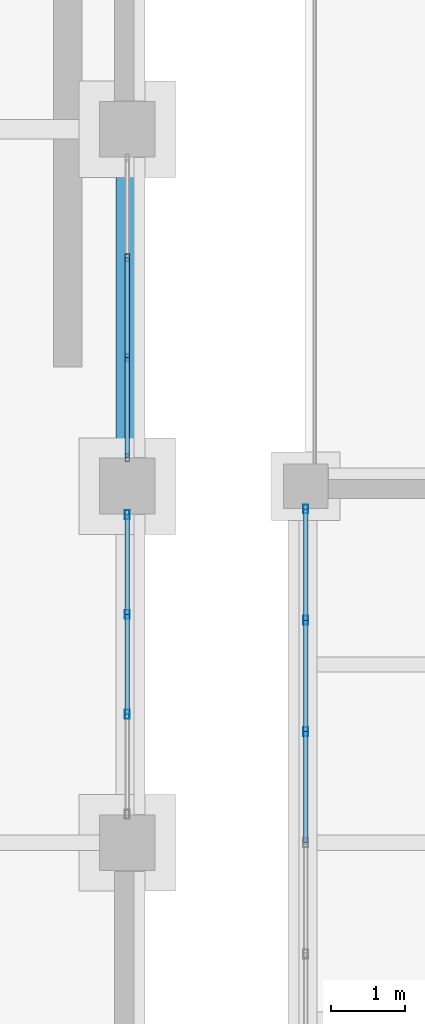
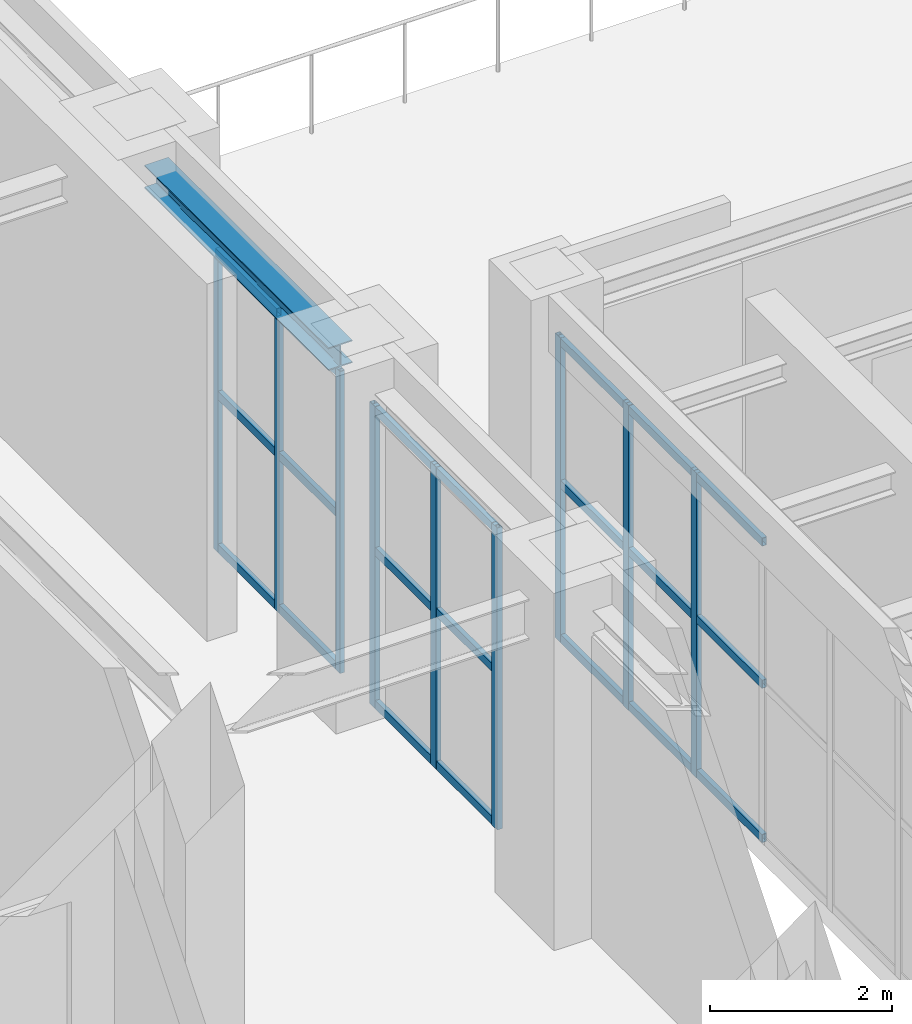
# One storey, part 11 of 83: 30 members, 1 beam, 3 elements without a shape of their own.
"""IFC4 building model written with IfcOpenShell, lengths in metres."""

from ifc_helpers import new_model, si_unit, direction, frame, origin, origin_2d, place, context, subcontext, project, spatial, hollow_rectangle, i_section, extrude, material, material_profile, profile_set, type_object, element, aggregate, save


model = new_model("IFC4")

# Units and contexts
model_context = context("Model", 3, precision=1e-05, world=origin(), true_north=direction((0.0, 1.0)))
body_context = subcontext(model_context, "Body", "Model", "MODEL_VIEW")
ifc_project = project(units=[si_unit("LENGTHUNIT", "METRE"), si_unit("AREAUNIT", "SQUARE_METRE"), si_unit("VOLUMEUNIT", "CUBIC_METRE"), si_unit("PLANEANGLEUNIT", "RADIAN"), si_unit("MASSUNIT", "GRAM", prefix="KILO")], contexts=[model_context])

# Site, building, storey
site_placement = place(None, origin())
site = spatial("IfcSite", under=ifc_project, at=site_placement, CompositionType="ELEMENT")
building_placement = place(site_placement, origin())
building = spatial("IfcBuilding", under=site, at=building_placement, Name="Mavantir Sound Aquarium", CompositionType="ELEMENT")
storey_placement = place(building_placement, frame((0.0, 0.0, 10.5)))
storey = spatial("IfcBuildingStorey", under=building, at=storey_placement, Name="L02", CompositionType="ELEMENT", Elevation=10.5)

# Beam
ifc_material_1 = material(Name="Structural Steel ASTM A992 Gr50", Category="steel")
ifc_material_profile_1 = material_profile(ifc_material_1, i_section(OverallWidth=0.304931640625, OverallDepth=0.30810546875, WebThickness=0.010009765625, FlangeThickness=0.015380859375, FilletRadius=0.014892578125, at=origin_2d()), Name="W310X97")
ifc_profile_set_1 = profile_set([ifc_material_profile_1], Name="Structural Steel ASTM A992 Gr50")
beam_type = type_object("IfcBeamType", Name="BM-W310X97-E", PredefinedType="SPANDREL", material=ifc_profile_set_1)
beam_placement = place(storey_placement, frame((33.60009765625, 60.375, 4.241943359375), z_axis=(0.0, 1.0, 0.0), x_axis=(-1.0, 0.0, 0.0)))
element("IfcBeam", 1, at=beam_placement, inside=storey, type_object=beam_type, Name="L02 primary girder SS-31A 1477", PredefinedType="SPANDREL", context=body_context, shape_type="SweptSolid", body=[
    extrude(i_section(OverallWidth=0.304931640625, OverallDepth=0.30810546875, WebThickness=0.010009765625, FlangeThickness=0.015380859375, FilletRadius=0.014892578125, at=origin_2d()), origin(), (0.0, 0.0, 1.0), 4.050048828125),
])

# Curtain wall, members
ifc_material_2 = material(Name="Anodised Marine Aluminium and Low-E Glass", Category="aluminium")
curtain_wall_type_1 = type_object("IfcCurtainWallType", Name="CW-T03", PredefinedType="USERDEFINED", material=ifc_material_2)
curtain_wall_1_placement = place(storey_placement, origin())
curtain_wall_1 = element("IfcCurtainWall", 2, at=curtain_wall_1_placement, inside=storey, type_object=curtain_wall_type_1, Name="L02 unitised curtain wall CW-03 123", ObjectType="UNITISED GLAZING", PredefinedType="USERDEFINED")
ifc_material_3 = material(Name="Anodised Marine Aluminium 6063-T6", Category="aluminium")
ifc_material_profile_2 = material_profile(ifc_material_3, hollow_rectangle(XDim=0.06005859375, YDim=0.10009765625, WallThickness=0.00390625, at=origin_2d()), Name="ALU-MULLION-100X60")
ifc_profile_set_2 = profile_set([ifc_material_profile_2], Name="Anodised Marine Aluminium 6063-T6")
member_type_1 = type_object("IfcMemberType", Name="CW-MUL-100", PredefinedType="MULLION", material=ifc_profile_set_2)
member_1_placement = place(storey_placement, frame((33.60009765625, 60.383056640625, 0.0), z_axis=(0.0, 0.0, 1.0), x_axis=(1.0, 0.0, 0.0)))
member_1 = element("IfcMember", 3, at=member_1_placement, type_object=member_type_1, Name="CW-L02-123 vertical mullion 1", PredefinedType="MULLION", context=body_context, shape_type="SweptSolid", body=[
    extrude(hollow_rectangle(XDim=0.06005859375, YDim=0.10009765625, WallThickness=0.00390625, at=origin_2d()), origin(), (0.0, 0.0, 1.0), 4.05810546875),
])
member_2_placement = place(storey_placement, frame((33.60009765625, 61.727783203125, 0.0), z_axis=(0.0, 0.0, 1.0), x_axis=(1.0, 0.0, 0.0)))
member_2 = element("IfcMember", 4, at=member_2_placement, type_object=member_type_1, Name="CW-L02-123 vertical mullion 2", PredefinedType="MULLION", context=body_context, shape_type="SweptSolid", body=[
    extrude(hollow_rectangle(XDim=0.06005859375, YDim=0.10009765625, WallThickness=0.00390625, at=origin_2d()), origin(), (0.0, 0.0, 1.0), 4.05810546875),
])
member_3_placement = place(storey_placement, frame((33.60009765625, 63.072265625, 0.0), z_axis=(0.0, 0.0, 1.0), x_axis=(1.0, 0.0, 0.0)))
member_3 = element("IfcMember", 5, at=member_3_placement, type_object=member_type_1, Name="CW-L02-123 vertical mullion 3", PredefinedType="MULLION", context=body_context, shape_type="SweptSolid", body=[
    extrude(hollow_rectangle(XDim=0.06005859375, YDim=0.10009765625, WallThickness=0.00390625, at=origin_2d()), origin(), (0.0, 0.0, 1.0), 4.05810546875),
])

curtain_wall_type_2 = type_object("IfcCurtainWallType", Name="CW-T02", PredefinedType="USERDEFINED", material=ifc_material_2)
curtain_wall_2_placement = place(storey_placement, origin())
curtain_wall_2 = element("IfcCurtainWall", 6, at=curtain_wall_2_placement, inside=storey, type_object=curtain_wall_type_2, Name="L02 unitised curtain wall CW-02 122", ObjectType="UNITISED GLAZING", PredefinedType="USERDEFINED")
ifc_material_profile_3 = material_profile(ifc_material_3, hollow_rectangle(XDim=0.06494140625, YDim=0.1201171875, WallThickness=0.00390625, at=origin_2d()), Name="ALU-MULLION-120X65")
ifc_profile_set_3 = profile_set([ifc_material_profile_3], Name="Anodised Marine Aluminium 6063-T6")
member_type_2 = type_object("IfcMemberType", Name="CW-MUL-120", PredefinedType="MULLION", material=ifc_profile_set_3)
member_4_placement = place(storey_placement, frame((33.60009765625, 56.927734375, 0.0), z_axis=(0.0, 0.0, 1.0), x_axis=(1.0, 0.0, 0.0)))
member_4 = element("IfcMember", 7, at=member_4_placement, type_object=member_type_2, Name="CW-L02-122 vertical mullion 2", PredefinedType="MULLION", context=body_context, shape_type="SweptSolid", body=[
    extrude(hollow_rectangle(XDim=0.06494140625, YDim=0.1201171875, WallThickness=0.00390625, at=origin_2d()), origin(), (0.0, 0.0, 1.0), 4.05810546875),
])
member_5_placement = place(storey_placement, frame((33.60009765625, 58.272216796875, 0.0), z_axis=(0.0, 0.0, 1.0), x_axis=(1.0, 0.0, 0.0)))
member_5 = element("IfcMember", 8, at=member_5_placement, type_object=member_type_2, Name="CW-L02-122 vertical mullion 3", PredefinedType="MULLION", context=body_context, shape_type="SweptSolid", body=[
    extrude(hollow_rectangle(XDim=0.06494140625, YDim=0.1201171875, WallThickness=0.00390625, at=origin_2d()), origin(), (0.0, 0.0, 1.0), 4.05810546875),
])
member_6_placement = place(storey_placement, frame((33.60009765625, 59.616943359375, 0.0), z_axis=(0.0, 0.0, 1.0), x_axis=(1.0, 0.0, 0.0)))
member_6 = element("IfcMember", 9, at=member_6_placement, type_object=member_type_2, Name="CW-L02-122 vertical mullion 4", PredefinedType="MULLION", context=body_context, shape_type="SweptSolid", body=[
    extrude(hollow_rectangle(XDim=0.06494140625, YDim=0.1201171875, WallThickness=0.00390625, at=origin_2d()), origin(), (0.0, 0.0, 1.0), 4.05810546875),
])

curtain_wall_type_3 = type_object("IfcCurtainWallType", Name="CW-T06", PredefinedType="USERDEFINED", material=ifc_material_2)
curtain_wall_3_placement = place(storey_placement, origin())
curtain_wall_3 = element("IfcCurtainWall", 10, at=curtain_wall_3_placement, inside=storey, type_object=curtain_wall_type_3, Name="L02 unitised curtain wall CW-06 126", ObjectType="UNITISED GLAZING", PredefinedType="USERDEFINED")
member_7_placement = place(storey_placement, frame((36.0, 59.69189453125, 0.0), z_axis=(0.0, 0.0, 1.0), x_axis=(1.0, 0.0, 0.0)))
member_7 = element("IfcMember", 11, at=member_7_placement, type_object=member_type_2, Name="CW-L02-126 vertical mullion 1", PredefinedType="MULLION", context=body_context, shape_type="SweptSolid", body=[
    extrude(hollow_rectangle(XDim=0.06494140625, YDim=0.1201171875, WallThickness=0.00390625, at=origin_2d()), origin(), (0.0, 0.0, 1.0), 4.093017578125),
])
member_8_placement = place(storey_placement, frame((36.0, 58.194580078125, 0.0), z_axis=(0.0, 0.0, 1.0), x_axis=(1.0, 0.0, 0.0)))
member_8 = element("IfcMember", 12, at=member_8_placement, type_object=member_type_2, Name="CW-L02-126 vertical mullion 2", PredefinedType="MULLION", context=body_context, shape_type="SweptSolid", body=[
    extrude(hollow_rectangle(XDim=0.06494140625, YDim=0.1201171875, WallThickness=0.00390625, at=origin_2d()), origin(), (0.0, 0.0, 1.0), 4.093017578125),
])
member_9_placement = place(storey_placement, frame((36.0, 56.697265625, 0.0), z_axis=(0.0, 0.0, 1.0), x_axis=(1.0, 0.0, 0.0)))
member_9 = element("IfcMember", 13, at=member_9_placement, type_object=member_type_2, Name="CW-L02-126 vertical mullion 3", PredefinedType="MULLION", context=body_context, shape_type="SweptSolid", body=[
    extrude(hollow_rectangle(XDim=0.06494140625, YDim=0.1201171875, WallThickness=0.00390625, at=origin_2d()), origin(), (0.0, 0.0, 1.0), 4.093017578125),
])

# Member
ifc_material_profile_4 = material_profile(ifc_material_3, hollow_rectangle(XDim=0.06005859375, YDim=0.110107421875, WallThickness=0.00390625, at=origin_2d()), Name="ALU-TRANSOM-110X60")
ifc_profile_set_4 = profile_set([ifc_material_profile_4], Name="Anodised Marine Aluminium 6063-T6")
member_type_3 = type_object("IfcMemberType", Name="CW-TRN-110", PredefinedType="USERDEFINED", material=ifc_profile_set_4)
member_10_placement = place(storey_placement, frame((33.60009765625, 56.927734375, 0.054931640625), z_axis=(0.0, 1.0, 0.0), x_axis=(-1.0, 0.0, 0.0)))
member_10 = element("IfcMember", 14, at=member_10_placement, type_object=member_type_3, Name="CW-L02-122 transom 2.1", ObjectType="TRANSOM", PredefinedType="USERDEFINED", context=body_context, shape_type="SweptSolid", body=[
    extrude(hollow_rectangle(XDim=0.06005859375, YDim=0.110107421875, WallThickness=0.00390625, at=origin_2d()), origin(), (0.0, 0.0, 1.0), 1.344482421875),
])

member_11_placement = place(storey_placement, frame((33.60009765625, 56.927734375, 2.110107421875), z_axis=(0.0, 1.0, 0.0), x_axis=(-1.0, 0.0, 0.0)))
member_11 = element("IfcMember", 15, at=member_11_placement, type_object=member_type_3, Name="CW-L02-122 transom 2.2", ObjectType="TRANSOM", PredefinedType="USERDEFINED", context=body_context, shape_type="SweptSolid", body=[
    extrude(hollow_rectangle(XDim=0.06005859375, YDim=0.110107421875, WallThickness=0.00390625, at=origin_2d()), origin(), (0.0, 0.0, 1.0), 1.344482421875),
])

member_12_placement = place(storey_placement, frame((33.60009765625, 56.927734375, 4.0029296875), z_axis=(0.0, 1.0, 0.0), x_axis=(-1.0, 0.0, 0.0)))
member_12 = element("IfcMember", 16, at=member_12_placement, type_object=member_type_3, Name="CW-L02-122 transom 2.3", ObjectType="TRANSOM", PredefinedType="USERDEFINED", context=body_context, shape_type="SweptSolid", body=[
    extrude(hollow_rectangle(XDim=0.06005859375, YDim=0.110107421875, WallThickness=0.00390625, at=origin_2d()), origin(), (0.0, 0.0, 1.0), 1.344482421875),
])

member_13_placement = place(storey_placement, frame((33.60009765625, 58.272216796875, 0.054931640625), z_axis=(0.0, 1.0, 0.0), x_axis=(-1.0, 0.0, 0.0)))
member_13 = element("IfcMember", 17, at=member_13_placement, type_object=member_type_3, Name="CW-L02-122 transom 3.1", ObjectType="TRANSOM", PredefinedType="USERDEFINED", context=body_context, shape_type="SweptSolid", body=[
    extrude(hollow_rectangle(XDim=0.06005859375, YDim=0.110107421875, WallThickness=0.00390625, at=origin_2d()), origin(), (0.0, 0.0, 1.0), 1.3447265625),
])

member_14_placement = place(storey_placement, frame((33.60009765625, 58.272216796875, 2.110107421875), z_axis=(0.0, 1.0, 0.0), x_axis=(-1.0, 0.0, 0.0)))
member_14 = element("IfcMember", 18, at=member_14_placement, type_object=member_type_3, Name="CW-L02-122 transom 3.2", ObjectType="TRANSOM", PredefinedType="USERDEFINED", context=body_context, shape_type="SweptSolid", body=[
    extrude(hollow_rectangle(XDim=0.06005859375, YDim=0.110107421875, WallThickness=0.00390625, at=origin_2d()), origin(), (0.0, 0.0, 1.0), 1.3447265625),
])

member_15_placement = place(storey_placement, frame((33.60009765625, 58.272216796875, 4.0029296875), z_axis=(0.0, 1.0, 0.0), x_axis=(-1.0, 0.0, 0.0)))
member_15 = element("IfcMember", 19, at=member_15_placement, type_object=member_type_3, Name="CW-L02-122 transom 3.3", ObjectType="TRANSOM", PredefinedType="USERDEFINED", context=body_context, shape_type="SweptSolid", body=[
    extrude(hollow_rectangle(XDim=0.06005859375, YDim=0.110107421875, WallThickness=0.00390625, at=origin_2d()), origin(), (0.0, 0.0, 1.0), 1.3447265625),
])

aggregate(curtain_wall_2, [member_4, member_5, member_6, member_10, member_11, member_12, member_13, member_14, member_15])

member_16_placement = place(storey_placement, frame((33.60009765625, 60.383056640625, 0.054931640625), z_axis=(0.0, 1.0, 0.0), x_axis=(-1.0, 0.0, 0.0)))
member_16 = element("IfcMember", 20, at=member_16_placement, type_object=member_type_3, Name="CW-L02-123 transom 1.1", ObjectType="TRANSOM", PredefinedType="USERDEFINED", context=body_context, shape_type="SweptSolid", body=[
    extrude(hollow_rectangle(XDim=0.06005859375, YDim=0.110107421875, WallThickness=0.00390625, at=origin_2d()), origin(), (0.0, 0.0, 1.0), 1.3447265625),
])

member_17_placement = place(storey_placement, frame((33.60009765625, 60.383056640625, 2.110107421875), z_axis=(0.0, 1.0, 0.0), x_axis=(-1.0, 0.0, 0.0)))
member_17 = element("IfcMember", 21, at=member_17_placement, type_object=member_type_3, Name="CW-L02-123 transom 1.2", ObjectType="TRANSOM", PredefinedType="USERDEFINED", context=body_context, shape_type="SweptSolid", body=[
    extrude(hollow_rectangle(XDim=0.06005859375, YDim=0.110107421875, WallThickness=0.00390625, at=origin_2d()), origin(), (0.0, 0.0, 1.0), 1.3447265625),
])

member_18_placement = place(storey_placement, frame((33.60009765625, 60.383056640625, 4.0029296875), z_axis=(0.0, 1.0, 0.0), x_axis=(-1.0, 0.0, 0.0)))
member_18 = element("IfcMember", 22, at=member_18_placement, type_object=member_type_3, Name="CW-L02-123 transom 1.3", ObjectType="TRANSOM", PredefinedType="USERDEFINED", context=body_context, shape_type="SweptSolid", body=[
    extrude(hollow_rectangle(XDim=0.06005859375, YDim=0.110107421875, WallThickness=0.00390625, at=origin_2d()), origin(), (0.0, 0.0, 1.0), 1.3447265625),
])

member_19_placement = place(storey_placement, frame((33.60009765625, 61.727783203125, 0.054931640625), z_axis=(0.0, 1.0, 0.0), x_axis=(-1.0, 0.0, 0.0)))
member_19 = element("IfcMember", 23, at=member_19_placement, type_object=member_type_3, Name="CW-L02-123 transom 2.1", ObjectType="TRANSOM", PredefinedType="USERDEFINED", context=body_context, shape_type="SweptSolid", body=[
    extrude(hollow_rectangle(XDim=0.06005859375, YDim=0.110107421875, WallThickness=0.00390625, at=origin_2d()), origin(), (0.0, 0.0, 1.0), 1.344482421875),
])

member_20_placement = place(storey_placement, frame((33.60009765625, 61.727783203125, 2.110107421875), z_axis=(0.0, 1.0, 0.0), x_axis=(-1.0, 0.0, 0.0)))
member_20 = element("IfcMember", 24, at=member_20_placement, type_object=member_type_3, Name="CW-L02-123 transom 2.2", ObjectType="TRANSOM", PredefinedType="USERDEFINED", context=body_context, shape_type="SweptSolid", body=[
    extrude(hollow_rectangle(XDim=0.06005859375, YDim=0.110107421875, WallThickness=0.00390625, at=origin_2d()), origin(), (0.0, 0.0, 1.0), 1.344482421875),
])

member_21_placement = place(storey_placement, frame((33.60009765625, 61.727783203125, 4.0029296875), z_axis=(0.0, 1.0, 0.0), x_axis=(-1.0, 0.0, 0.0)))
member_21 = element("IfcMember", 25, at=member_21_placement, type_object=member_type_3, Name="CW-L02-123 transom 2.3", ObjectType="TRANSOM", PredefinedType="USERDEFINED", context=body_context, shape_type="SweptSolid", body=[
    extrude(hollow_rectangle(XDim=0.06005859375, YDim=0.110107421875, WallThickness=0.00390625, at=origin_2d()), origin(), (0.0, 0.0, 1.0), 1.344482421875),
])

aggregate(curtain_wall_1, [member_1, member_2, member_3, member_16, member_17, member_18, member_19, member_20, member_21])

member_22_placement = place(storey_placement, frame((36.0, 59.69189453125, 0.054931640625), z_axis=(0.0, -1.0, 0.0), x_axis=(1.0, 0.0, 0.0)))
member_22 = element("IfcMember", 26, at=member_22_placement, type_object=member_type_3, Name="CW-L02-126 transom 1.1", ObjectType="TRANSOM", PredefinedType="USERDEFINED", context=body_context, shape_type="SweptSolid", body=[
    extrude(hollow_rectangle(XDim=0.06005859375, YDim=0.110107421875, WallThickness=0.00390625, at=origin_2d()), origin(), (0.0, 0.0, 1.0), 1.497314453125),
])

member_23_placement = place(storey_placement, frame((36.0, 59.69189453125, 2.12841796875), z_axis=(0.0, -1.0, 0.0), x_axis=(1.0, 0.0, 0.0)))
member_23 = element("IfcMember", 27, at=member_23_placement, type_object=member_type_3, Name="CW-L02-126 transom 1.2", ObjectType="TRANSOM", PredefinedType="USERDEFINED", context=body_context, shape_type="SweptSolid", body=[
    extrude(hollow_rectangle(XDim=0.06005859375, YDim=0.110107421875, WallThickness=0.00390625, at=origin_2d()), origin(), (0.0, 0.0, 1.0), 1.497314453125),
])

member_24_placement = place(storey_placement, frame((36.0, 59.69189453125, 4.0380859375), z_axis=(0.0, -1.0, 0.0), x_axis=(1.0, 0.0, 0.0)))
member_24 = element("IfcMember", 28, at=member_24_placement, type_object=member_type_3, Name="CW-L02-126 transom 1.3", ObjectType="TRANSOM", PredefinedType="USERDEFINED", context=body_context, shape_type="SweptSolid", body=[
    extrude(hollow_rectangle(XDim=0.06005859375, YDim=0.110107421875, WallThickness=0.00390625, at=origin_2d()), origin(), (0.0, 0.0, 1.0), 1.497314453125),
])

member_25_placement = place(storey_placement, frame((36.0, 58.194580078125, 0.054931640625), z_axis=(0.0, -1.0, 0.0), x_axis=(1.0, 0.0, 0.0)))
member_25 = element("IfcMember", 29, at=member_25_placement, type_object=member_type_3, Name="CW-L02-126 transom 2.1", ObjectType="TRANSOM", PredefinedType="USERDEFINED", context=body_context, shape_type="SweptSolid", body=[
    extrude(hollow_rectangle(XDim=0.06005859375, YDim=0.110107421875, WallThickness=0.00390625, at=origin_2d()), origin(), (0.0, 0.0, 1.0), 1.497314453125),
])

member_26_placement = place(storey_placement, frame((36.0, 58.194580078125, 2.12841796875), z_axis=(0.0, -1.0, 0.0), x_axis=(1.0, 0.0, 0.0)))
member_26 = element("IfcMember", 30, at=member_26_placement, type_object=member_type_3, Name="CW-L02-126 transom 2.2", ObjectType="TRANSOM", PredefinedType="USERDEFINED", context=body_context, shape_type="SweptSolid", body=[
    extrude(hollow_rectangle(XDim=0.06005859375, YDim=0.110107421875, WallThickness=0.00390625, at=origin_2d()), origin(), (0.0, 0.0, 1.0), 1.497314453125),
])

member_27_placement = place(storey_placement, frame((36.0, 58.194580078125, 4.0380859375), z_axis=(0.0, -1.0, 0.0), x_axis=(1.0, 0.0, 0.0)))
member_27 = element("IfcMember", 31, at=member_27_placement, type_object=member_type_3, Name="CW-L02-126 transom 2.3", ObjectType="TRANSOM", PredefinedType="USERDEFINED", context=body_context, shape_type="SweptSolid", body=[
    extrude(hollow_rectangle(XDim=0.06005859375, YDim=0.110107421875, WallThickness=0.00390625, at=origin_2d()), origin(), (0.0, 0.0, 1.0), 1.497314453125),
])

member_28_placement = place(storey_placement, frame((36.0, 56.697265625, 0.054931640625), z_axis=(0.0, -1.0, 0.0), x_axis=(1.0, 0.0, 0.0)))
member_28 = element("IfcMember", 32, at=member_28_placement, type_object=member_type_3, Name="CW-L02-126 transom 3.1", ObjectType="TRANSOM", PredefinedType="USERDEFINED", context=body_context, shape_type="SweptSolid", body=[
    extrude(hollow_rectangle(XDim=0.06005859375, YDim=0.110107421875, WallThickness=0.00390625, at=origin_2d()), origin(), (0.0, 0.0, 1.0), 1.497314453125),
])

member_29_placement = place(storey_placement, frame((36.0, 56.697265625, 2.12841796875), z_axis=(0.0, -1.0, 0.0), x_axis=(1.0, 0.0, 0.0)))
member_29 = element("IfcMember", 33, at=member_29_placement, type_object=member_type_3, Name="CW-L02-126 transom 3.2", ObjectType="TRANSOM", PredefinedType="USERDEFINED", context=body_context, shape_type="SweptSolid", body=[
    extrude(hollow_rectangle(XDim=0.06005859375, YDim=0.110107421875, WallThickness=0.00390625, at=origin_2d()), origin(), (0.0, 0.0, 1.0), 1.497314453125),
])

member_30_placement = place(storey_placement, frame((36.0, 56.697265625, 4.0380859375), z_axis=(0.0, -1.0, 0.0), x_axis=(1.0, 0.0, 0.0)))
member_30 = element("IfcMember", 34, at=member_30_placement, type_object=member_type_3, Name="CW-L02-126 transom 3.3", ObjectType="TRANSOM", PredefinedType="USERDEFINED", context=body_context, shape_type="SweptSolid", body=[
    extrude(hollow_rectangle(XDim=0.06005859375, YDim=0.110107421875, WallThickness=0.00390625, at=origin_2d()), origin(), (0.0, 0.0, 1.0), 1.497314453125),
])

aggregate(curtain_wall_3, [member_7, member_8, member_9, member_22, member_23, member_24, member_25, member_26, member_27, member_28, member_29, member_30])

save(model, "model.ifc")
